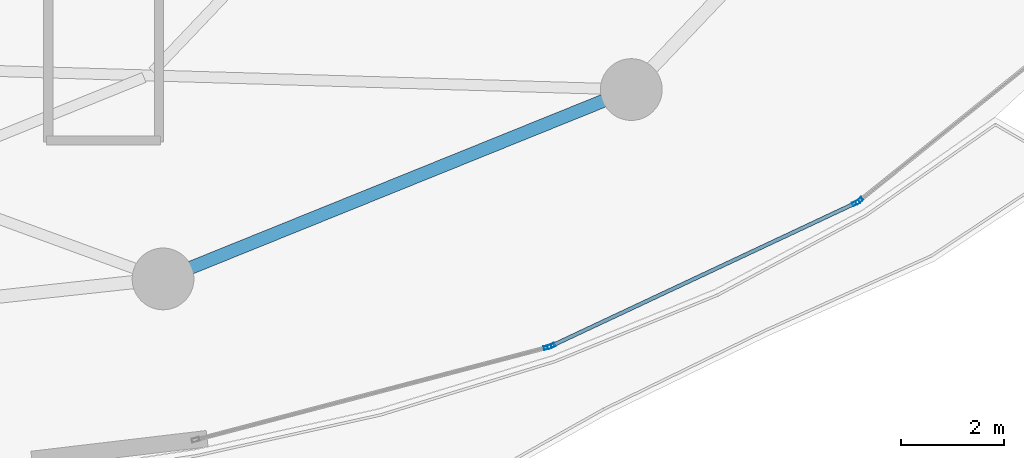
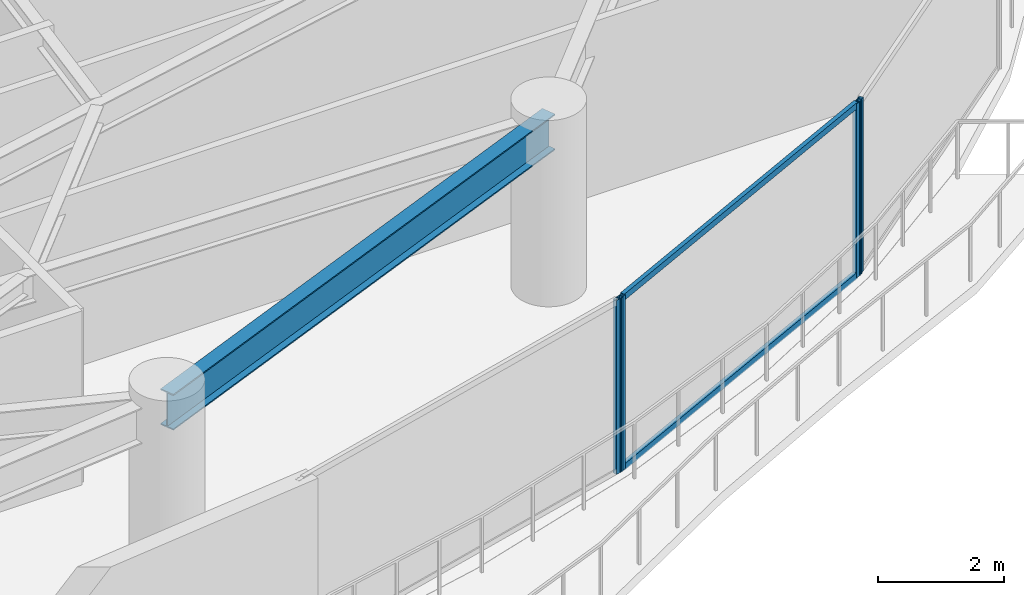
# One storey, part 14 of 34: 6 members, 1 beam, 3 elements without a shape of their own.
"""IFC4 building model written with IfcOpenShell, lengths in metres."""

from ifc_helpers import new_model, si_unit, direction, frame, origin, origin_2d, place, context, subcontext, project, spatial, hollow_rectangle, i_section, extrude, material, layer, layer_set, material_profile, profile_set, type_object, element, aggregate, save


model = new_model("IFC4")

# Units and contexts
model_context = context("Model", 3, precision=1e-05, world=origin(), true_north=direction((0.0, 1.0)))
body_context = subcontext(model_context, "Body", "Model", "MODEL_VIEW")
ifc_project = project(units=[si_unit("LENGTHUNIT", "METRE"), si_unit("AREAUNIT", "SQUARE_METRE"), si_unit("VOLUMEUNIT", "CUBIC_METRE"), si_unit("PLANEANGLEUNIT", "RADIAN"), si_unit("MASSUNIT", "GRAM", prefix="KILO")], contexts=[model_context])

# Site, building, storey
site_placement = place(None, origin())
site = spatial("IfcSite", under=ifc_project, at=site_placement, CompositionType="ELEMENT")
building_placement = place(site_placement, origin())
building = spatial("IfcBuilding", under=site, at=building_placement, Name="Kazevale Care Tower and Concert Hall", CompositionType="ELEMENT")
storey_placement = place(building_placement, frame((0.0, 0.0, 167.39990234375)))
storey = spatial("IfcBuildingStorey", under=building, at=storey_placement, Name="L44", CompositionType="ELEMENT", Elevation=167.39990234375)

# Curtain wall, member
ifc_material_1 = material(Name="Aluminium 6063-T6 and Low-E Glass", Category="aluminium")
ifc_layer = layer(ifc_material_1, 0.179931640625)
ifc_layer_set = layer_set([ifc_layer], Name="Aluminium 6063-T6 and Low-E Glass")
curtain_wall_type = type_object("IfcCurtainWallType", Name="Sheltered Concave Balcony Curtain Wall CW-5", PredefinedType="NOTDEFINED", material=ifc_layer_set)
curtain_wall_1_placement = place(storey_placement, origin())
curtain_wall_1 = element("IfcCurtainWall", 1, at=curtain_wall_1_placement, inside=storey, type_object=curtain_wall_type, Name="cw:L44:f02", PredefinedType="NOTDEFINED")
ifc_material_2 = material(Name="Aluminium 6063-T6", Category="aluminium")
ifc_material_profile_1 = material_profile(ifc_material_2, hollow_rectangle(XDim=0.074951171875, YDim=0.14990234375, WallThickness=0.00390625, at=origin_2d()), Name="ALU75x150x4")
ifc_profile_set_1 = profile_set([ifc_material_profile_1], Name="Aluminium 6063-T6")
member_type_1 = type_object("IfcMemberType", Name="CW-5 Mullion ALU75x150x4", PredefinedType="MULLION", material=ifc_profile_set_1)
member_1_placement = place(storey_placement, frame((69.25927734375, 20.826416015625, 0.0), z_axis=(0.0, 0.0, 1.0), x_axis=(0.626905357502, -0.779095419531, 0.0)))
member_1 = element("IfcMember", 2, at=member_1_placement, type_object=member_type_1, Name="CW-5 mullion 2", PredefinedType="MULLION", context=body_context, shape_type="SweptSolid", body=[
    extrude(hollow_rectangle(XDim=0.074951171875, YDim=0.14990234375, WallThickness=0.00390625, at=origin_2d()), origin(), (0.0, 0.0, 1.0), 3.360107421875),
])
aggregate(curtain_wall_1, [member_1])

# Curtain wall, members
curtain_wall_2_placement = place(storey_placement, origin())
curtain_wall_2 = element("IfcCurtainWall", 3, at=curtain_wall_2_placement, inside=storey, type_object=curtain_wall_type, Name="cw:L44:f03", PredefinedType="NOTDEFINED")
member_2_placement = place(storey_placement, frame((69.196044921875, 20.787109375, 0.0), z_axis=(0.0, 0.0, 1.0), x_axis=(0.425010766963, -0.905188294205, 0.0)))
member_2 = element("IfcMember", 4, at=member_2_placement, type_object=member_type_1, Name="CW-5 mullion 1", PredefinedType="MULLION", context=body_context, shape_type="SweptSolid", body=[
    extrude(hollow_rectangle(XDim=0.074951171875, YDim=0.14990234375, WallThickness=0.00390625, at=origin_2d()), origin(), (0.0, 0.0, 1.0), 3.360107421875),
])
member_3_placement = place(storey_placement, frame((63.27490234375, 18.0068359375, 0.0), z_axis=(0.0, 0.0, 1.0), x_axis=(0.425010766963, -0.905188294205, 0.0)))
member_3 = element("IfcMember", 5, at=member_3_placement, type_object=member_type_1, Name="CW-5 mullion 2", PredefinedType="MULLION", context=body_context, shape_type="SweptSolid", body=[
    extrude(hollow_rectangle(XDim=0.074951171875, YDim=0.14990234375, WallThickness=0.00390625, at=origin_2d()), origin(), (0.0, 0.0, 1.0), 3.360107421875),
])

# Curtain wall, member
curtain_wall_3_placement = place(storey_placement, origin())
curtain_wall_3 = element("IfcCurtainWall", 6, at=curtain_wall_3_placement, inside=storey, type_object=curtain_wall_type, Name="cw:L44:f04", PredefinedType="NOTDEFINED")
member_4_placement = place(storey_placement, frame((63.204833984375, 17.9814453125, 0.0), z_axis=(0.0, 0.0, 1.0), x_axis=(0.254238458229, -0.967141564797, 0.0)))
member_4 = element("IfcMember", 7, at=member_4_placement, type_object=member_type_1, Name="CW-5 mullion 1", PredefinedType="MULLION", context=body_context, shape_type="SweptSolid", body=[
    extrude(hollow_rectangle(XDim=0.074951171875, YDim=0.14990234375, WallThickness=0.00390625, at=origin_2d()), origin(), (0.0, 0.0, 1.0), 3.360107421875),
])
aggregate(curtain_wall_3, [member_4])

# Member
ifc_material_profile_2 = material_profile(ifc_material_2, hollow_rectangle(XDim=0.074951171875, YDim=0.1201171875, WallThickness=0.00390625, at=origin_2d()), Name="ALU75x120x4")
ifc_profile_set_2 = profile_set([ifc_material_profile_2], Name="Aluminium 6063-T6")
member_type_2 = type_object("IfcMemberType", Name="CW-5 Transom ALU75x120x4", PredefinedType="USERDEFINED", material=ifc_profile_set_2)
member_5_placement = place(storey_placement, frame((69.162109375, 20.771240234375, 0.03759765625), z_axis=(-0.90518714704, -0.425013210187, 0.0), x_axis=(0.425013210187, -0.90518714704, 0.0)))
member_5 = element("IfcMember", 8, at=member_5_placement, type_object=member_type_2, Name="CW-5 transom 1.1", ObjectType="TRANSOM", PredefinedType="USERDEFINED", context=body_context, shape_type="SweptSolid", body=[
    extrude(hollow_rectangle(XDim=0.074951171875, YDim=0.1201171875, WallThickness=0.00390625, at=origin_2d()), origin(), (0.0, 0.0, 1.0), 6.46630859375),
])

member_6_placement = place(storey_placement, frame((69.162109375, 20.771240234375, 3.322509765625), z_axis=(-0.90518714704, -0.425013210187, 0.0), x_axis=(0.425013210187, -0.90518714704, 0.0)))
member_6 = element("IfcMember", 9, at=member_6_placement, type_object=member_type_2, Name="CW-5 transom 1.2", ObjectType="TRANSOM", PredefinedType="USERDEFINED", context=body_context, shape_type="SweptSolid", body=[
    extrude(hollow_rectangle(XDim=0.074951171875, YDim=0.1201171875, WallThickness=0.00390625, at=origin_2d()), origin(), (0.0, 0.0, 1.0), 6.46630859375),
])

aggregate(curtain_wall_2, [member_2, member_3, member_5, member_6])

# Beam
ifc_material_3 = material(Name="Steel ASTM A572 Gr 50", Category="steel")
ifc_material_profile_3 = material_profile(ifc_material_3, i_section(OverallWidth=0.256103515625, OverallDepth=0.693115234375, WebThickness=0.014404296875, FlangeThickness=0.023681640625, at=origin_2d()), Name="W690x170")
ifc_profile_set_3 = profile_set([ifc_material_profile_3], Name="Steel ASTM A572 Gr 50")
beam_type = type_object("IfcBeamType", Name="Waist Ring Beam W690x170", PredefinedType="BEAM", material=ifc_profile_set_3)
beam_placement = place(storey_placement, frame((55.72998046875, 19.31005859375, 3.013671875), z_axis=(0.927068687828, 0.374891515041, 0.0), x_axis=(-0.374891515041, 0.927068687828, 0.0)))
element("IfcBeam", 10, at=beam_placement, inside=storey, type_object=beam_type, Name="beam:L44:ring:14", PredefinedType="BEAM", context=body_context, shape_type="SweptSolid", body=[
    extrude(i_section(OverallWidth=0.256103515625, OverallDepth=0.693115234375, WebThickness=0.014404296875, FlangeThickness=0.023681640625, at=origin_2d()), origin(), (0.0, 0.0, 1.0), 9.81591796875),
])

save(model, "model.ifc")
